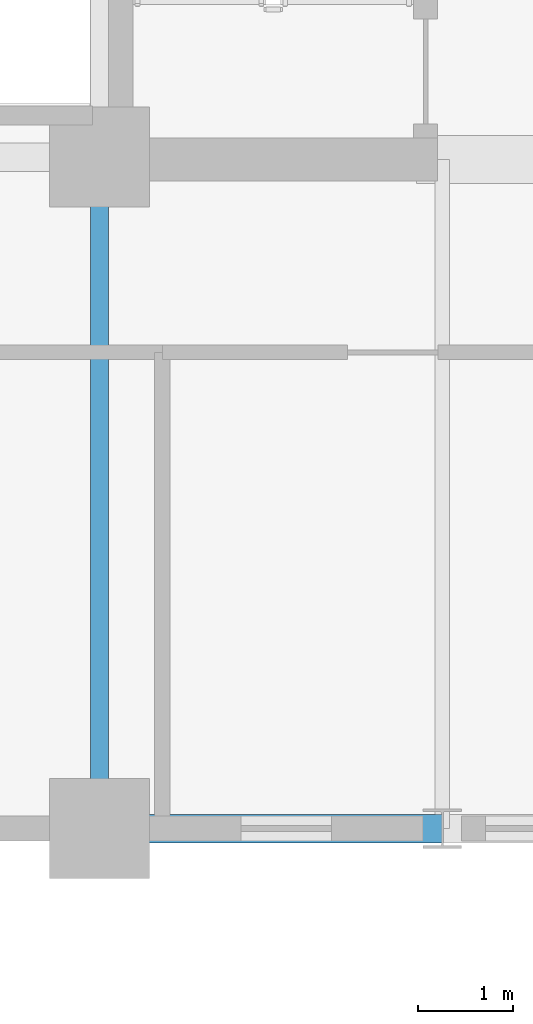
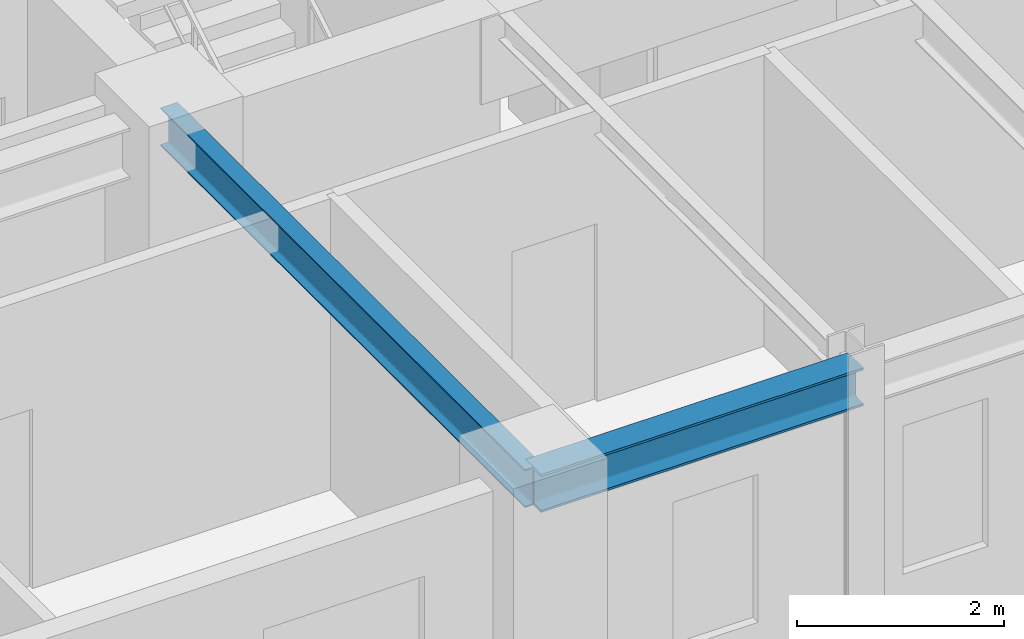
# One storey, part 4 of 19: 2 beams.
"""IFC4 building model written with IfcOpenShell, lengths in metres."""

from ifc_helpers import new_model, si_unit, direction, frame, origin, origin_2d, place, context, subcontext, project, spatial, i_section, extrude, source, transform, mapped, material, material_profile, profile_set, type_object, element, save


model = new_model("IFC4")

# Units and contexts
model_context = context("Model", 3, precision=1e-05, world=origin(), true_north=direction((0.0, 1.0)))
body_context = subcontext(model_context, "Body", "Model", "MODEL_VIEW")
ifc_project = project(units=[si_unit("LENGTHUNIT", "METRE"), si_unit("AREAUNIT", "SQUARE_METRE"), si_unit("VOLUMEUNIT", "CUBIC_METRE"), si_unit("PLANEANGLEUNIT", "RADIAN"), si_unit("MASSUNIT", "GRAM", prefix="KILO")], contexts=[model_context])

# Site, building, storey
site_placement = place(None, origin())
site = spatial("IfcSite", under=ifc_project, at=site_placement, CompositionType="ELEMENT")
building_placement = place(site_placement, origin())
building = spatial("IfcBuilding", under=site, at=building_placement, Name="Kaliganga Portal Commons", CompositionType="ELEMENT")
storey_placement = place(building_placement, frame((0.0, 0.0, 184.60009765625)))
storey = spatial("IfcBuildingStorey", under=building, at=storey_placement, Name="L47", CompositionType="ELEMENT", Elevation=184.60009765625)

# Beams
ifc_material = material(Name="Structural steel S355J2", Category="steel")
ifc_material_profile_1 = material_profile(ifc_material, i_section(OverallWidth=0.300048828125, OverallDepth=0.449951171875, WebThickness=0.013916015625, FlangeThickness=0.02587890625, FilletRadius=0.027099609375, at=origin_2d()), Name="HE 450 B")
ifc_profile_set_1 = profile_set([ifc_material_profile_1], Name="Structural steel S355J2 wide-flange")
beam_type_1 = type_object("IfcBeamType", Name="BM-SPAND-450", PredefinedType="SPANDREL", material=ifc_profile_set_1)
shared_shape_1 = source(origin(), body_context, "Body", "SweptSolid", [
    extrude(i_section(OverallWidth=0.300048828125, OverallDepth=0.449951171875, WebThickness=0.013916015625, FlangeThickness=0.02587890625, FilletRadius=0.027099609375, at=origin_2d()), origin(), (0.0, 0.0, 1.0), 3.60009765625),
])
beam_1_placement = place(storey_placement, frame((14.39990234375, 21.60009765625, 3.23486328125), z_axis=(1.0, 0.0, 0.0), x_axis=(0.0, 1.0, 0.0)))
element("IfcBeam", 1, at=beam_1_placement, inside=storey, type_object=beam_type_1, Name="BM SP L47 AS 1", PredefinedType="SPANDREL", context=body_context, shape_type="MappedRepresentation", body=[
    mapped(shared_shape_1, transform((0.0, 0.0, 0.0), x_axis=(1.0, 0.0, 0.0), y_axis=(0.0, 1.0, 0.0), z_axis=(0.0, 0.0, 1.0), scale=1.0)),
])
ifc_material_profile_2 = material_profile(ifc_material, i_section(OverallWidth=0.18994140625, OverallDepth=0.449951171875, WebThickness=0.009521484375, FlangeThickness=0.0146484375, FilletRadius=0.02099609375, at=origin_2d()), Name="IPE 450")
ifc_profile_set_2 = profile_set([ifc_material_profile_2], Name="Structural steel S355J2 wide-flange")
beam_type_2 = type_object("IfcBeamType", Name="BM-FLR-450", PredefinedType="BEAM", material=ifc_profile_set_2)
shared_shape_2 = source(origin(), body_context, "Body", "SweptSolid", [
    extrude(i_section(OverallWidth=0.18994140625, OverallDepth=0.449951171875, WebThickness=0.009521484375, FlangeThickness=0.0146484375, FilletRadius=0.02099609375, at=origin_2d()), origin(), (0.0, 0.0, 1.0), 7.0498046875),
])
beam_2_placement = place(storey_placement, frame((14.39990234375, 21.60009765625, 3.23486328125), z_axis=(0.0, 1.0, 0.0), x_axis=(-1.0, 0.0, 0.0)))
element("IfcBeam", 2, at=beam_2_placement, inside=storey, type_object=beam_type_2, Name="BM G L47 AS144", PredefinedType="BEAM", context=body_context, shape_type="MappedRepresentation", body=[
    mapped(shared_shape_2, transform((0.0, 0.0, 0.0), x_axis=(1.0, 0.0, 0.0), y_axis=(0.0, 1.0, 0.0), z_axis=(0.0, 0.0, 1.0), scale=1.0)),
])

save(model, "model.ifc")
